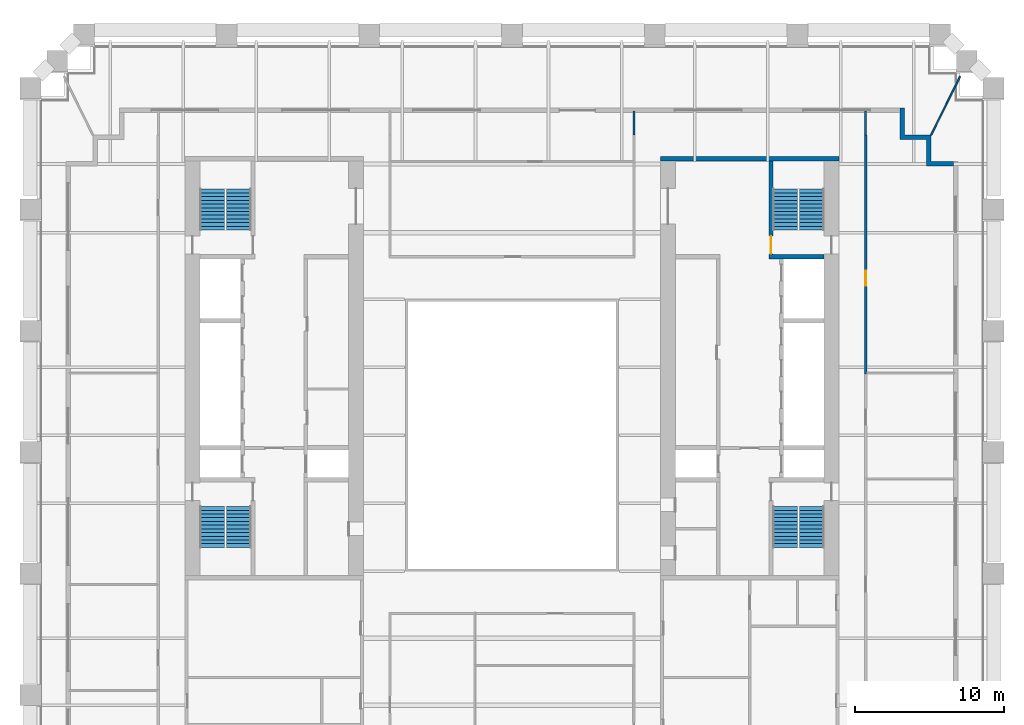
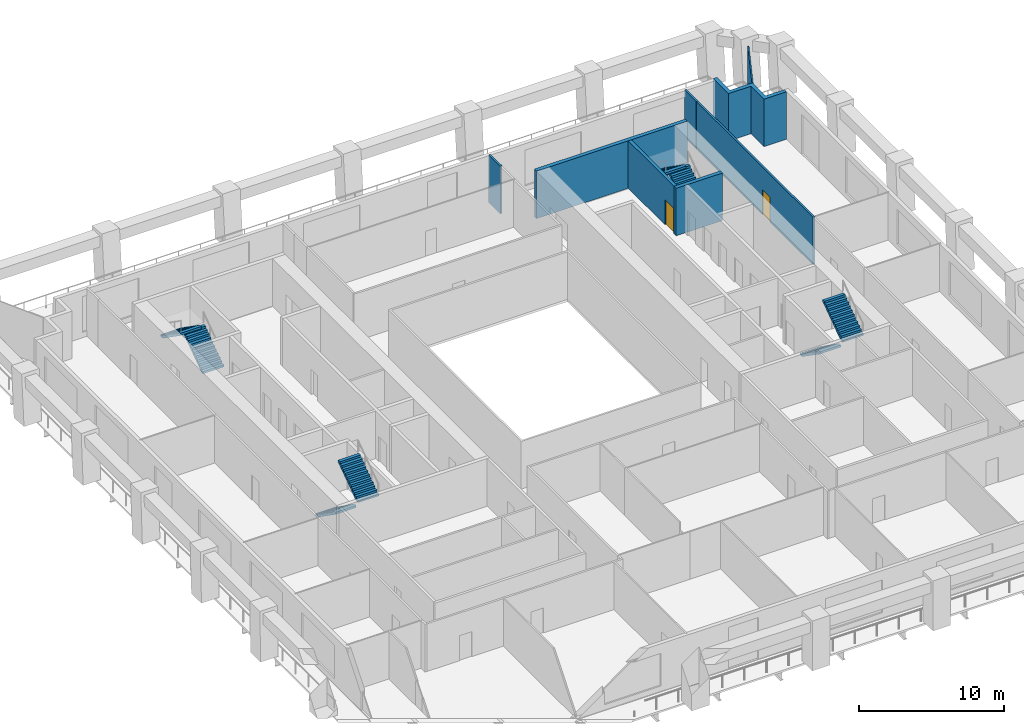
# One storey, part 8 of 9: 8 stair flights, 8 walls, 2 doors, 2 openings, 4 elements without a shape of their own.
"""IFC4 building model written with IfcOpenShell, lengths in metres."""

from ifc_helpers import new_model, si_unit, direction, frame, frame_2d, origin, place, context, subcontext, project, spatial, polyline, rectangle, outline, extrude, material, layer, layer_set, type_object, element, fill, aggregate, save


model = new_model("IFC4")

# Units and contexts
model_context = context("Model", 3, precision=1e-05, world=origin(), true_north=direction((0.0, 1.0)))
body_context = subcontext(model_context, "Body", "Model", "MODEL_VIEW")
ifc_project = project(units=[si_unit("LENGTHUNIT", "METRE"), si_unit("AREAUNIT", "SQUARE_METRE"), si_unit("VOLUMEUNIT", "CUBIC_METRE"), si_unit("PLANEANGLEUNIT", "RADIAN"), si_unit("MASSUNIT", "GRAM", prefix="KILO")], contexts=[model_context])

# Site, building, storey
site_placement = place(None, origin())
site = spatial("IfcSite", under=ifc_project, at=site_placement, CompositionType="ELEMENT")
building_placement = place(site_placement, origin())
building = spatial("IfcBuilding", under=site, at=building_placement, Name="Ogive Exchange Tower", CompositionType="ELEMENT")
storey_placement = place(building_placement, frame((0.0, 0.0, 60.60009765625)))
storey = spatial("IfcBuildingStorey", under=building, at=storey_placement, Name="L12", CompositionType="ELEMENT", Elevation=60.60009765625)

# Walls
ifc_material_1 = material(Name="Fire partition EI 60 150")
ifc_layer_1 = layer(ifc_material_1, 0.14990234375)
ifc_layer_set_1 = layer_set([ifc_layer_1], Name="Fire partition EI 60 150")
wall_type_1 = type_object("IfcWallType", Name="Fire partition EI 60 150", PredefinedType="PARTITIONING", material=ifc_layer_set_1)
for number, where, z_axis, x_axis, name in (
    (1, (8.2099609375, 27.199951171875, 0.0), (0.0, 0.0, 1.0), (0.0, 1.0, 0.0), "L12-PWL-040"),
    (2, (23.7900390625, 28.800048828125, 0.0), (0.0, 0.0, 1.0), (0.0, -1.0, 0.0), "L12-PWL-045"),
):
    element("IfcWall", number, at=place(storey_placement, frame(where, z_axis=z_axis, x_axis=x_axis)), inside=storey, type_object=wall_type_1, Name=name, PredefinedType="PARTITIONING", context=body_context, shape_type="SweptSolid", body=[
        extrude(rectangle(XDim=1.60009765625, YDim=0.14990234375, at=frame_2d((0.800048828125, 0.0))), origin(), (0.0, 0.0, 1.0), 4.0),
    ])

# Wall, opening, door
wall_1_placement = place(storey_placement, frame((23.800048828125, 27.199951171875, 0.0), z_axis=(0.0, 0.0, 1.0), x_axis=(0.0, -1.0, 0.0)))
wall_1 = element("IfcWall", 3, at=wall_1_placement, inside=storey, type_object=wall_type_1, Name="L12-PWL-051", PredefinedType="PARTITIONING", context=body_context, shape_type="SweptSolid", body=[
    extrude(rectangle(XDim=16.079833984375, YDim=0.14990234375, at=frame_2d((8.0400390625, 0.0))), origin(), (0.0, 0.0, 1.0), 4.0),
])
opening_1_placement = place(wall_1_placement, frame((9.1298828125, 0.0, 0.0)))
opening_1 = element("IfcOpeningElement", 4, at=opening_1_placement, cuts=wall_1, Name="Opening L12-I02", PredefinedType="OPENING", context=body_context, shape_type="SweptSolid", body=[
    extrude(rectangle(XDim=1.0, YDim=2.10009765625, at=frame_2d((0.5, 1.050048828125))), frame((0.0, 0.0849609375, 0.0), z_axis=(0.0, -1.0, 0.0), x_axis=(1.0, 0.0, 0.0)), (0.0, 0.0, 1.0), 0.169921875),
])
ifc_material_2 = material(Name="Fire door FD 30S 1000 x 2100")
door_type_1 = type_object("IfcDoorType", Name="Fire door FD 30S 1000 x 2100", OperationType="NOTDEFINED", PredefinedType="DOOR", material=ifc_material_2)
door_1_placement = place(opening_1_placement, origin())
door_1 = element("IfcDoor", 5, at=door_1_placement, inside=storey, type_object=door_type_1, Name="L12-IDR-002", ObjectType="DT3", OperationType="SINGLE_SWING_RIGHT", OverallHeight=2.10009765625, OverallWidth=1.0, PredefinedType="DOOR", context=body_context, shape_type="SweptSolid", body=[
    extrude(rectangle(XDim=1.0, YDim=2.10009765625, at=frame_2d((0.5, 1.050048828125))), frame((0.0, 0.02490234375, 0.0), z_axis=(0.0, -1.0, 0.0), x_axis=(1.0, 0.0, 0.0)), (0.0, 0.0, 1.0), 0.050048828125),
])
fill(opening_1, door_1)

# Walls
ifc_material_3 = material(Name="Precast concrete C40/50", Category="concrete")
ifc_layer_2 = layer(ifc_material_3, 0.300048828125)
ifc_layer_set_2 = layer_set([ifc_layer_2], Name="Limestone-faced wall 300")
wall_type_2 = type_object("IfcWallType", Name="Limestone-faced wall 300", PredefinedType="STANDARD", material=ifc_layer_set_2)
wall_2_placement = place(storey_placement, origin())
element("IfcWall", 6, at=wall_2_placement, inside=storey, type_object=wall_type_2, Name="External corner wall C2", PredefinedType="STANDARD", context=body_context, shape_type="SweptSolid", body=[
    extrude(outline(polyline([(27.89990234375, 26.89990234375), (26.10009765625, 26.89990234375), (26.10009765625, 29.0), (26.39990234375, 29.0), (26.39990234375, 27.199951171875), (28.199951171875, 27.199951171875), (28.199951171875, 25.39990234375), (29.699951171875, 25.39990234375), (29.699951171875, 25.10009765625), (27.89990234375, 25.10009765625), (27.89990234375, 26.89990234375)])), origin(), (0.0, 0.0, 1.0), 4.0),
])
ifc_material_4 = material(Name="Laminated safety glass in steel frame", Category="steel")
ifc_layer_3 = layer(ifc_material_4, 0.10009765625)
ifc_layer_set_3 = layer_set([ifc_layer_3], Name="Loggia end screen 100")
wall_type_3 = type_object("IfcWallType", Name="Loggia end screen 100", PredefinedType="STANDARD", material=ifc_layer_set_3)
wall_3_placement = place(storey_placement, frame((28.199951171875, 27.199951171875, -0.050048828125), z_axis=(0.0, 0.0, 1.0), x_axis=(0.443174643924, 0.896435293249, 0.0)))
element("IfcWall", 7, at=wall_3_placement, inside=storey, type_object=wall_type_3, Name="Loggia end screen C2", PredefinedType="STANDARD", context=body_context, shape_type="SweptSolid", body=[
    extrude(rectangle(XDim=4.405517578125, YDim=0.10009765625, at=frame_2d((2.20263671875, 0.0))), origin(), (0.0, 0.0, 1.0), 4.050048828125),
])

# Wall, opening, door
ifc_material_5 = material(Name="Concrete C70/85", Category="concrete")
ifc_layer_4 = layer(ifc_material_5, 0.25)
ifc_layer_set_4 = layer_set([ifc_layer_4], Name="RC core wall 250 C70/85")
wall_type_4 = type_object("IfcWallType", Name="RC core wall 250 C70/85", PredefinedType="SHEAR", material=ifc_layer_set_4)
wall_4_placement = place(storey_placement, frame((17.425048828125, 19.14990234375, 0.0), z_axis=(0.0, 0.0, 1.0), x_axis=(0.0, 1.0, 0.0)))
wall_4 = element("IfcWall", 8, at=wall_4_placement, inside=storey, type_object=wall_type_4, Name="E stair N front wall", PredefinedType="SHEAR", context=body_context, shape_type="SweptSolid", body=[
    extrude(rectangle(XDim=6.300048828125, YDim=0.25, at=frame_2d((3.14990234375, 0.0))), origin(), (0.0, 0.0, 1.0), 4.0),
])
opening_2_placement = place(wall_4_placement, frame((0.050048828125, 0.0, 0.0)))
opening_2 = element("IfcOpeningElement", 9, at=opening_2_placement, cuts=wall_4, Name="Opening L12-C35", PredefinedType="OPENING", context=body_context, shape_type="SweptSolid", body=[
    extrude(rectangle(XDim=1.199951171875, YDim=2.10009765625, at=frame_2d((0.60009765625, 1.050048828125))), frame((0.0, 0.135009765625, 0.0), z_axis=(0.0, -1.0, 0.0), x_axis=(1.0, 0.0, 0.0)), (0.0, 0.0, 1.0), 0.27001953125),
])
ifc_material_6 = material(Name="Steel fire door", Category="steel")
door_type_2 = type_object("IfcDoorType", Name="Stair door FD90 1200 x 2100", OperationType="NOTDEFINED", PredefinedType="DOOR", material=ifc_material_6)
door_2_placement = place(opening_2_placement, frame((1.199951171875, 0.0, 0.0), z_axis=(0.0, 0.0, 1.0), x_axis=(-1.0, 0.0, 0.0)))
door_2 = element("IfcDoor", 10, at=door_2_placement, inside=storey, type_object=door_type_2, Name="Stair door", ObjectType="CD5", OperationType="SINGLE_SWING_LEFT", OverallHeight=2.10009765625, OverallWidth=1.199951171875, PredefinedType="DOOR", context=body_context, shape_type="SweptSolid", body=[
    extrude(rectangle(XDim=1.199951171875, YDim=2.10009765625, at=frame_2d((0.60009765625, 1.050048828125))), frame((0.0, 0.02490234375, 0.0), z_axis=(0.0, -1.0, 0.0), x_axis=(1.0, 0.0, 0.0)), (0.0, 0.0, 1.0), 0.050048828125),
])
fill(opening_2, door_2)

# Walls
ifc_layer_5 = layer(ifc_material_5, 0.300048828125)
ifc_layer_set_5 = layer_set([ifc_layer_5], Name="RC core wall 300 C70/85")
wall_type_5 = type_object("IfcWallType", Name="RC core wall 300 C70/85", PredefinedType="SHEAR", material=ifc_layer_set_5)
wall_5_placement = place(storey_placement, frame((10.0, 25.60009765625, 0.0), z_axis=(0.0, 0.0, 1.0), x_axis=(1.0, 0.0, 0.0)))
element("IfcWall", 11, at=wall_5_placement, inside=storey, type_object=wall_type_5, Name="E north end wall", PredefinedType="SHEAR", context=body_context, shape_type="SweptSolid", body=[
    extrude(rectangle(XDim=12.0, YDim=0.300048828125, at=frame_2d((6.0, 0.0))), origin(), (0.0, 0.0, 1.0), 4.0),
])
wall_6_placement = place(storey_placement, frame((17.300048828125, 19.0, 0.0), z_axis=(0.0, 0.0, 1.0), x_axis=(1.0, 0.0, 0.0)))
element("IfcWall", 12, at=wall_6_placement, inside=storey, type_object=wall_type_5, Name="E stair N south wall", PredefinedType="SHEAR", context=body_context, shape_type="SweptSolid", body=[
    extrude(rectangle(XDim=3.699951171875, YDim=0.300048828125, at=frame_2d((1.85009765625, 0.0))), origin(), (0.0, 0.0, 1.0), 4.0),
])

# Stair, stair flights
ifc_material_7 = material(Name="Concrete C40/50", Category="concrete")
stair_type = type_object("IfcStairType", Name="Exit stair 1650 wide", PredefinedType="HALF_TURN_STAIR", material=ifc_material_7)
stair_1_placement = place(storey_placement, origin())
stair_1 = element("IfcStair", 13, at=stair_1_placement, inside=storey, type_object=stair_type, Name="L12 exit stair ST1", PredefinedType="HALF_TURN_STAIR")
stair_flight_type = type_object("IfcStairFlightType", Name="Stair flight 1650 wide", PredefinedType="STRAIGHT", material=ifc_material_7)
stair_flight_1_placement = place(storey_placement, frame((-20.175048828125, 2.199951171875, 0.0), z_axis=(0.0, 0.0, 1.0), x_axis=(0.0, -1.0, 0.0)))
stair_flight_1 = element("IfcStairFlight", 14, at=stair_flight_1_placement, type_object=stair_flight_type, Name="ST1 flight 1", NumberOfRisers=12, NumberOfTreads=11, PredefinedType="STRAIGHT", RiserHeight=0.175, TreadLength=0.25, context=body_context, shape_type="SweptSolid", body=[
    extrude(outline(polyline([(0.0, 0.0), (0.0, 0.175048828125), (0.25, 0.175048828125), (0.25, 0.35009765625), (0.5, 0.35009765625), (0.5, 0.52490234375), (0.75, 0.52490234375), (0.75, 0.699951171875), (1.0, 0.699951171875), (1.0, 0.875), (1.25, 0.875), (1.25, 1.050048828125), (1.5, 1.050048828125), (1.5, 1.22509765625), (1.75, 1.22509765625), (1.75, 1.39990234375), (2.0, 1.39990234375), (2.0, 1.574951171875), (2.25, 1.574951171875), (2.25, 1.75), (2.5, 1.75), (2.5, 1.925048828125), (2.75, 1.925048828125), (2.75, 2.10009765625), (2.75, 1.741943359375), (0.261474609375, 0.0), (0.0, 0.0)])), frame((0.0, 0.824951171875, 0.0), z_axis=(0.0, -1.0, 0.0), x_axis=(1.0, 0.0, 0.0)), (0.0, 0.0, 1.0), 1.64990234375),
])
stair_flight_2_placement = place(storey_placement, frame((-18.375, -0.550048828125, 2.099853515625), z_axis=(0.0, 0.0, 1.0), x_axis=(0.0, 1.0, 0.0)))
stair_flight_2 = element("IfcStairFlight", 15, at=stair_flight_2_placement, type_object=stair_flight_type, Name="ST1 flight 2", NumberOfRisers=12, NumberOfTreads=11, PredefinedType="STRAIGHT", RiserHeight=0.175, TreadLength=0.25, context=body_context, shape_type="SweptSolid", body=[
    extrude(outline(polyline([(0.0, 0.0), (0.0, 0.175048828125), (0.25, 0.175048828125), (0.25, 0.35009765625), (0.5, 0.35009765625), (0.5, 0.52490234375), (0.75, 0.52490234375), (0.75, 0.699951171875), (1.0, 0.699951171875), (1.0, 0.875), (1.25, 0.875), (1.25, 1.050048828125), (1.5, 1.050048828125), (1.5, 1.22509765625), (1.75, 1.22509765625), (1.75, 1.39990234375), (2.0, 1.39990234375), (2.0, 1.574951171875), (2.25, 1.574951171875), (2.25, 1.75), (2.5, 1.75), (2.5, 1.925048828125), (2.75, 1.925048828125), (2.75, 2.10009765625), (2.75, 1.741943359375), (0.261474609375, 0.0), (0.0, 0.0)])), frame((0.0, 0.824951171875, 0.0), z_axis=(0.0, -1.0, 0.0), x_axis=(1.0, 0.0, 0.0)), (0.0, 0.0, 1.0), 1.64990234375),
])
aggregate(stair_1, [stair_flight_1, stair_flight_2])

stair_2_placement = place(storey_placement, origin())
stair_2 = element("IfcStair", 16, at=stair_2_placement, inside=storey, type_object=stair_type, Name="L12 exit stair ST2", PredefinedType="HALF_TURN_STAIR")
stair_flight_3_placement = place(storey_placement, frame((-18.375, 20.800048828125, 0.0), z_axis=(0.0, 0.0, 1.0), x_axis=(0.0, 1.0, 0.0)))
stair_flight_3 = element("IfcStairFlight", 17, at=stair_flight_3_placement, type_object=stair_flight_type, Name="ST2 flight 1", NumberOfRisers=12, NumberOfTreads=11, PredefinedType="STRAIGHT", RiserHeight=0.175, TreadLength=0.25, context=body_context, shape_type="SweptSolid", body=[
    extrude(outline(polyline([(0.0, 0.0), (0.0, 0.175048828125), (0.25, 0.175048828125), (0.25, 0.35009765625), (0.5, 0.35009765625), (0.5, 0.52490234375), (0.75, 0.52490234375), (0.75, 0.699951171875), (1.0, 0.699951171875), (1.0, 0.875), (1.25, 0.875), (1.25, 1.050048828125), (1.5, 1.050048828125), (1.5, 1.22509765625), (1.75, 1.22509765625), (1.75, 1.39990234375), (2.0, 1.39990234375), (2.0, 1.574951171875), (2.25, 1.574951171875), (2.25, 1.75), (2.5, 1.75), (2.5, 1.925048828125), (2.75, 1.925048828125), (2.75, 2.10009765625), (2.75, 1.741943359375), (0.261474609375, 0.0), (0.0, 0.0)])), frame((0.0, 0.824951171875, 0.0), z_axis=(0.0, -1.0, 0.0), x_axis=(1.0, 0.0, 0.0)), (0.0, 0.0, 1.0), 1.64990234375),
])
stair_flight_4_placement = place(storey_placement, frame((-20.175048828125, 23.550048828125, 2.099853515625), z_axis=(0.0, 0.0, 1.0), x_axis=(0.0, -1.0, 0.0)))
stair_flight_4 = element("IfcStairFlight", 18, at=stair_flight_4_placement, type_object=stair_flight_type, Name="ST2 flight 2", NumberOfRisers=12, NumberOfTreads=11, PredefinedType="STRAIGHT", RiserHeight=0.175, TreadLength=0.25, context=body_context, shape_type="SweptSolid", body=[
    extrude(outline(polyline([(0.0, 0.0), (0.0, 0.175048828125), (0.25, 0.175048828125), (0.25, 0.35009765625), (0.5, 0.35009765625), (0.5, 0.52490234375), (0.75, 0.52490234375), (0.75, 0.699951171875), (1.0, 0.699951171875), (1.0, 0.875), (1.25, 0.875), (1.25, 1.050048828125), (1.5, 1.050048828125), (1.5, 1.22509765625), (1.75, 1.22509765625), (1.75, 1.39990234375), (2.0, 1.39990234375), (2.0, 1.574951171875), (2.25, 1.574951171875), (2.25, 1.75), (2.5, 1.75), (2.5, 1.925048828125), (2.75, 1.925048828125), (2.75, 2.10009765625), (2.75, 1.741943359375), (0.261474609375, 0.0), (0.0, 0.0)])), frame((0.0, 0.824951171875, 0.0), z_axis=(0.0, -1.0, 0.0), x_axis=(1.0, 0.0, 0.0)), (0.0, 0.0, 1.0), 1.64990234375),
])
aggregate(stair_2, [stair_flight_3, stair_flight_4])

stair_3_placement = place(storey_placement, origin())
stair_3 = element("IfcStair", 19, at=stair_3_placement, inside=storey, type_object=stair_type, Name="L12 exit stair ST3", PredefinedType="HALF_TURN_STAIR")
stair_flight_5_placement = place(storey_placement, frame((18.375, 2.199951171875, 0.0), z_axis=(0.0, 0.0, 1.0), x_axis=(0.0, -1.0, 0.0)))
stair_flight_5 = element("IfcStairFlight", 20, at=stair_flight_5_placement, type_object=stair_flight_type, Name="ST3 flight 1", NumberOfRisers=12, NumberOfTreads=11, PredefinedType="STRAIGHT", RiserHeight=0.175, TreadLength=0.25, context=body_context, shape_type="SweptSolid", body=[
    extrude(outline(polyline([(0.0, 0.0), (0.0, 0.175048828125), (0.25, 0.175048828125), (0.25, 0.35009765625), (0.5, 0.35009765625), (0.5, 0.52490234375), (0.75, 0.52490234375), (0.75, 0.699951171875), (1.0, 0.699951171875), (1.0, 0.875), (1.25, 0.875), (1.25, 1.050048828125), (1.5, 1.050048828125), (1.5, 1.22509765625), (1.75, 1.22509765625), (1.75, 1.39990234375), (2.0, 1.39990234375), (2.0, 1.574951171875), (2.25, 1.574951171875), (2.25, 1.75), (2.5, 1.75), (2.5, 1.925048828125), (2.75, 1.925048828125), (2.75, 2.10009765625), (2.75, 1.741943359375), (0.261474609375, 0.0), (0.0, 0.0)])), frame((0.0, 0.824951171875, 0.0), z_axis=(0.0, -1.0, 0.0), x_axis=(1.0, 0.0, 0.0)), (0.0, 0.0, 1.0), 1.64990234375),
])
stair_flight_6_placement = place(storey_placement, frame((20.175048828125, -0.550048828125, 2.099853515625), z_axis=(0.0, 0.0, 1.0), x_axis=(0.0, 1.0, 0.0)))
stair_flight_6 = element("IfcStairFlight", 21, at=stair_flight_6_placement, type_object=stair_flight_type, Name="ST3 flight 2", NumberOfRisers=12, NumberOfTreads=11, PredefinedType="STRAIGHT", RiserHeight=0.175, TreadLength=0.25, context=body_context, shape_type="SweptSolid", body=[
    extrude(outline(polyline([(0.0, 0.0), (0.0, 0.175048828125), (0.25, 0.175048828125), (0.25, 0.35009765625), (0.5, 0.35009765625), (0.5, 0.52490234375), (0.75, 0.52490234375), (0.75, 0.699951171875), (1.0, 0.699951171875), (1.0, 0.875), (1.25, 0.875), (1.25, 1.050048828125), (1.5, 1.050048828125), (1.5, 1.22509765625), (1.75, 1.22509765625), (1.75, 1.39990234375), (2.0, 1.39990234375), (2.0, 1.574951171875), (2.25, 1.574951171875), (2.25, 1.75), (2.5, 1.75), (2.5, 1.925048828125), (2.75, 1.925048828125), (2.75, 2.10009765625), (2.75, 1.741943359375), (0.261474609375, 0.0), (0.0, 0.0)])), frame((0.0, 0.824951171875, 0.0), z_axis=(0.0, -1.0, 0.0), x_axis=(1.0, 0.0, 0.0)), (0.0, 0.0, 1.0), 1.64990234375),
])
aggregate(stair_3, [stair_flight_5, stair_flight_6])

stair_4_placement = place(storey_placement, origin())
stair_4 = element("IfcStair", 22, at=stair_4_placement, inside=storey, type_object=stair_type, Name="L12 exit stair ST4", PredefinedType="HALF_TURN_STAIR")
stair_flight_7_placement = place(storey_placement, frame((20.175048828125, 20.800048828125, 0.0), z_axis=(0.0, 0.0, 1.0), x_axis=(0.0, 1.0, 0.0)))
stair_flight_7 = element("IfcStairFlight", 23, at=stair_flight_7_placement, type_object=stair_flight_type, Name="ST4 flight 1", NumberOfRisers=12, NumberOfTreads=11, PredefinedType="STRAIGHT", RiserHeight=0.175, TreadLength=0.25, context=body_context, shape_type="SweptSolid", body=[
    extrude(outline(polyline([(0.0, 0.0), (0.0, 0.175048828125), (0.25, 0.175048828125), (0.25, 0.35009765625), (0.5, 0.35009765625), (0.5, 0.52490234375), (0.75, 0.52490234375), (0.75, 0.699951171875), (1.0, 0.699951171875), (1.0, 0.875), (1.25, 0.875), (1.25, 1.050048828125), (1.5, 1.050048828125), (1.5, 1.22509765625), (1.75, 1.22509765625), (1.75, 1.39990234375), (2.0, 1.39990234375), (2.0, 1.574951171875), (2.25, 1.574951171875), (2.25, 1.75), (2.5, 1.75), (2.5, 1.925048828125), (2.75, 1.925048828125), (2.75, 2.10009765625), (2.75, 1.741943359375), (0.261474609375, 0.0), (0.0, 0.0)])), frame((0.0, 0.824951171875, 0.0), z_axis=(0.0, -1.0, 0.0), x_axis=(1.0, 0.0, 0.0)), (0.0, 0.0, 1.0), 1.64990234375),
])
stair_flight_8_placement = place(storey_placement, frame((18.375, 23.550048828125, 2.099853515625), z_axis=(0.0, 0.0, 1.0), x_axis=(0.0, -1.0, 0.0)))
stair_flight_8 = element("IfcStairFlight", 24, at=stair_flight_8_placement, type_object=stair_flight_type, Name="ST4 flight 2", NumberOfRisers=12, NumberOfTreads=11, PredefinedType="STRAIGHT", RiserHeight=0.175, TreadLength=0.25, context=body_context, shape_type="SweptSolid", body=[
    extrude(outline(polyline([(0.0, 0.0), (0.0, 0.175048828125), (0.25, 0.175048828125), (0.25, 0.35009765625), (0.5, 0.35009765625), (0.5, 0.52490234375), (0.75, 0.52490234375), (0.75, 0.699951171875), (1.0, 0.699951171875), (1.0, 0.875), (1.25, 0.875), (1.25, 1.050048828125), (1.5, 1.050048828125), (1.5, 1.22509765625), (1.75, 1.22509765625), (1.75, 1.39990234375), (2.0, 1.39990234375), (2.0, 1.574951171875), (2.25, 1.574951171875), (2.25, 1.75), (2.5, 1.75), (2.5, 1.925048828125), (2.75, 1.925048828125), (2.75, 2.10009765625), (2.75, 1.741943359375), (0.261474609375, 0.0), (0.0, 0.0)])), frame((0.0, 0.824951171875, 0.0), z_axis=(0.0, -1.0, 0.0), x_axis=(1.0, 0.0, 0.0)), (0.0, 0.0, 1.0), 1.64990234375),
])
aggregate(stair_4, [stair_flight_7, stair_flight_8])

save(model, "model.ifc")
